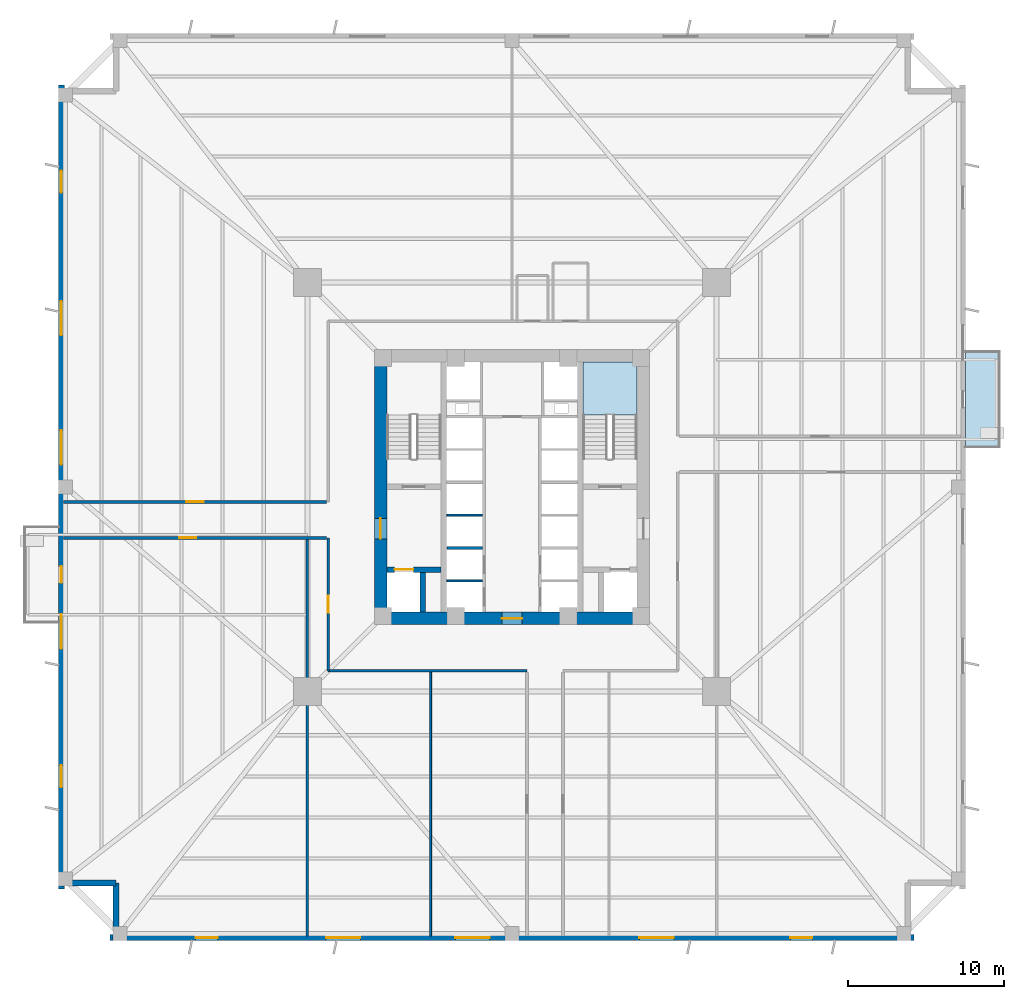
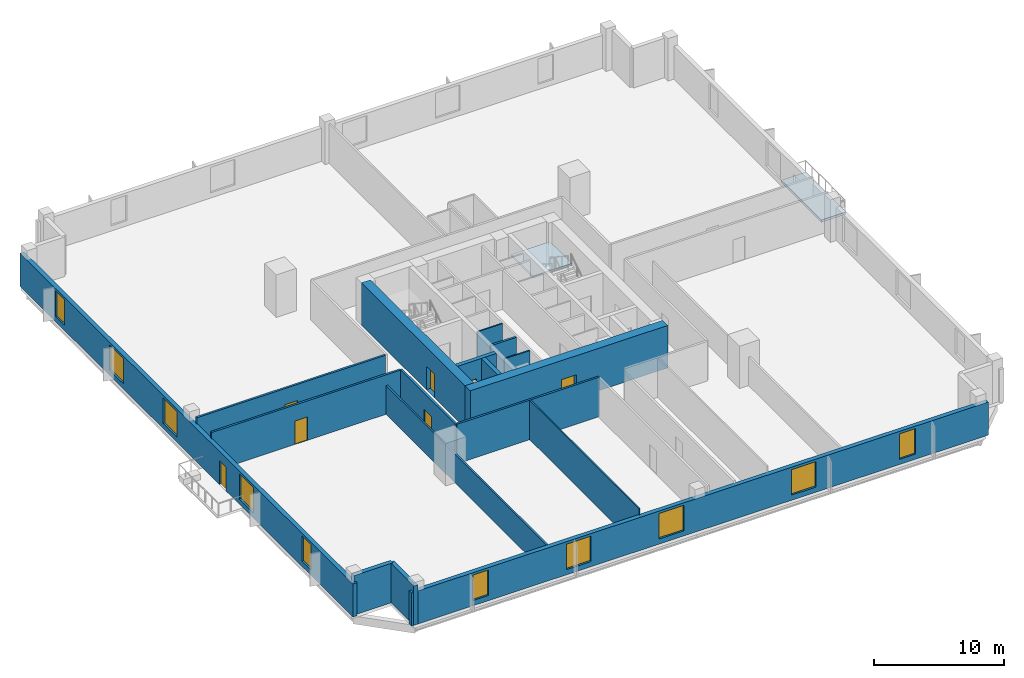
# One storey, part 2 of 9: 17 walls, 10 windows, 7 doors, 2 slabs, 17 openings, 1 element without a shape of its own.
"""IFC4 building model written with IfcOpenShell, lengths in metres."""

from ifc_helpers import new_model, si_unit, direction, frame, frame_2d, origin, place, context, subcontext, project, spatial, polyline, rectangle, outline, extrude, source, transform, mapped, material, layer, layer_set, type_object, element, fill, aggregate, save


model = new_model("IFC4")

# Units and contexts
model_context = context("Model", 3, precision=1e-05, world=origin(), true_north=direction((0.0, 1.0)))
body_context = subcontext(model_context, "Body", "Model", "MODEL_VIEW")
ifc_project = project(units=[si_unit("LENGTHUNIT", "METRE"), si_unit("AREAUNIT", "SQUARE_METRE"), si_unit("VOLUMEUNIT", "CUBIC_METRE"), si_unit("PLANEANGLEUNIT", "RADIAN"), si_unit("MASSUNIT", "GRAM", prefix="KILO"), si_unit("THERMODYNAMICTEMPERATUREUNIT", "KELVIN")], contexts=[model_context])

# Site, building, storey
site_placement = place(None, origin())
site = spatial("IfcSite", under=ifc_project, at=site_placement, CompositionType="ELEMENT")
building_placement = place(site_placement, origin())
building = spatial("IfcBuilding", under=site, at=building_placement, Name="Kosmvard Interchange Tower", CompositionType="ELEMENT")
storey_placement = place(building_placement, frame((0.0, 0.0, 58.0)))
storey = spatial("IfcBuildingStorey", under=building, at=storey_placement, Name="L13", CompositionType="ELEMENT", Elevation=58.0)

# Stair, slab
ifc_material_1 = material(Name="Concrete C50/60", Category="concrete")
stair_type = type_object("IfcStairType", Name="Dog-Leg Core Exit Stair H4000 C50/60", PredefinedType="HALF_TURN_STAIR", material=ifc_material_1)
stair_placement = place(storey_placement, origin())
stair = element("IfcStair", 1, at=stair_placement, inside=storey, type_object=stair_type, Name="L13 Protected Exit Stair ST-2", PredefinedType="HALF_TURN_STAIR")
ifc_layer_1 = layer(ifc_material_1, 0.199951171875, Name="Concrete C50/60")
ifc_layer_set_1 = layer_set([ifc_layer_1], Name="Concrete C50/60")
slab_type_1 = type_object("IfcSlabType", Name="Stair Half-Landing Slab 200 C50/60", PredefinedType="LANDING", material=ifc_layer_set_1)
slab_1_placement = place(storey_placement, frame((0.0, 0.0, 1.800048828125)))
slab_1 = element("IfcSlab", 2, at=slab_1_placement, type_object=slab_type_1, Name="ST-2 landing 1", PredefinedType="LANDING", context=body_context, shape_type="SweptSolid", body=[
    extrude(outline(polyline([(8.0, 4.60009765625), (8.0, 8.0), (4.5400390625, 8.0), (4.5400390625, 4.60009765625), (8.0, 4.60009765625)])), origin(), (0.0, 0.0, 1.0), 0.199951171875),
])
aggregate(stair, [slab_1])

# Slab
ifc_layer_2 = layer(ifc_material_1, 0.22998046875, Name="Concrete C50/60")
ifc_layer_set_2 = layer_set([ifc_layer_2], Name="Concrete C50/60")
slab_type_2 = type_object("IfcSlabType", Name="Tree-Planter Cantilever Balcony Slab 230 C50/60", PredefinedType="FLOOR", material=ifc_layer_set_2)
slab_2_placement = place(storey_placement, frame((0.0, 0.0, -0.22998046875)))
element("IfcSlab", 3, at=slab_2_placement, inside=storey, type_object=slab_type_2, Name="L13 Outdoor Terrace Balcony Slab BAL-L13-E", PredefinedType="FLOOR", context=body_context, shape_type="SweptSolid", body=[
    extrude(outline(polyline([(29.0, 2.5), (31.199951171875, 2.5), (31.199951171875, 8.699951171875), (29.0, 8.699951171875), (29.0, 2.5)])), origin(), (0.0, 0.0, 1.0), 0.22998046875),
])

# Walls
ifc_material_2 = material(Name="Acoustic gypsum partition system")
ifc_layer_3 = layer(ifc_material_2, 0.14990234375, Name="Acoustic gypsum partition system")
ifc_layer_set_3 = layer_set([ifc_layer_3], Name="Acoustic gypsum partition system")
wall_type_1 = type_object("IfcWallType", Name="Acoustic Suite & Meeting Partition 150", PredefinedType="PARTITIONING", material=ifc_layer_set_3)
wall_1_placement = place(storey_placement, frame((-13.0810546875, -28.68505859375, 0.0), z_axis=(0.0, 0.0, 1.0), x_axis=(0.0, 1.0, 0.0)))
element("IfcWall", 4, at=wall_1_placement, inside=storey, type_object=wall_type_1, Name="L13 Room Partition 04.1", PredefinedType="PARTITIONING", context=body_context, shape_type="SweptSolid", body=[
    extrude(rectangle(XDim=25.340087890625, YDim=0.14990234375, at=frame_2d((12.669921875, 0.0))), origin(), (0.0, 0.0, 1.0), 2.7119140625),
])
ifc_material_3 = material(Name="Fire-rated gypsum partition system")
ifc_layer_4 = layer(ifc_material_3, 0.179931640625, Name="Fire-rated gypsum partition system")
ifc_layer_set_4 = layer_set([ifc_layer_4], Name="Fire-rated gypsum partition system")
wall_type_2 = type_object("IfcWallType", Name="Corridor & Hotel Compartment Partition 180", PredefinedType="PARTITIONING", material=ifc_layer_set_4)
wall_2_placement = place(storey_placement, frame((-11.75, -11.75, 0.0), z_axis=(0.0, 0.0, 1.0), x_axis=(1.0, 0.0, 0.0)))
element("IfcWall", 5, at=wall_2_placement, inside=storey, type_object=wall_type_2, Name="L13 Corridor Wall CSW", PredefinedType="PARTITIONING", context=body_context, shape_type="SweptSolid", body=[
    extrude(rectangle(XDim=12.699951171875, YDim=0.179931640625, at=frame_2d((6.35009765625, 0.0))), origin(), (0.0, 0.0, 1.0), 3.719970703125),
])

# Wall, opening, door
wall_3_placement = place(storey_placement, frame((-11.75, -11.75, 0.0), z_axis=(0.0, 0.0, 1.0), x_axis=(0.0, 1.0, 0.0)))
wall_3 = element("IfcWall", 6, at=wall_3_placement, inside=storey, type_object=wall_type_2, Name="L13 Corridor Wall CWS", PredefinedType="PARTITIONING", context=body_context, shape_type="SweptSolid", body=[
    extrude(rectangle(XDim=8.5, YDim=0.179931640625, at=frame_2d((4.25, 0.0))), origin(), (0.0, 0.0, 1.0), 3.719970703125),
])
opening_1_placement = place(wall_3_placement, frame((3.699951171875, 0.0, 0.0)))
opening_1 = element("IfcOpeningElement", 7, at=opening_1_placement, cuts=wall_3, Name="Opening L13-D09", PredefinedType="OPENING", context=body_context, shape_type="SweptSolid", body=[
    extrude(rectangle(XDim=1.10009765625, YDim=2.199951171875, at=frame_2d((0.550048828125, 1.10009765625))), frame((0.0, 0.10009765625, 0.0), z_axis=(0.0, -1.0, 0.0), x_axis=(1.0, 0.0, 0.0)), (0.0, 0.0, 1.0), 0.199951171875),
])
ifc_material_4 = material(Name="Engineered oak fire-rated timber", Category="wood")
door_type_1 = type_object("IfcDoorType", Name="Office Suite Entrance Door 1100x2200 FD30S", OperationType="NOTDEFINED", PredefinedType="DOOR", material=ifc_material_4)
shared_shape_1 = source(origin(), body_context, "Body", "SweptSolid", [
    extrude(rectangle(XDim=1.10009765625, YDim=2.199951171875, at=frame_2d((0.550048828125, 1.10009765625))), frame((0.0, 0.02490234375, 0.0), z_axis=(0.0, -1.0, 0.0), x_axis=(1.0, 0.0, 0.0)), (0.0, 0.0, 1.0), 0.050048828125),
])
door_1_placement = place(opening_1_placement, origin())
door_1 = element("IfcDoor", 8, at=door_1_placement, inside=storey, type_object=door_type_1, Name="L13 Breakout Tea Pantry Door", OperationType="SINGLE_SWING_LEFT", OverallHeight=2.199951171875, OverallWidth=1.10009765625, PredefinedType="DOOR", context=body_context, shape_type="MappedRepresentation", body=[
    mapped(shared_shape_1, transform((0.0, 0.0, 0.0), scale=1.0)),
])
fill(opening_1, door_1)

wall_4_placement = place(storey_placement, frame((-28.68505859375, -3.25, 0.0), z_axis=(0.0, 0.0, 1.0), x_axis=(1.0, 0.0, 0.0)))
wall_4 = element("IfcWall", 9, at=wall_4_placement, inside=storey, type_object=wall_type_2, Name="L13 Corridor Wall SWS", PredefinedType="PARTITIONING", context=body_context, shape_type="SweptSolid", body=[
    extrude(rectangle(XDim=16.8349609375, YDim=0.179931640625, at=frame_2d((8.41748046875, 0.0))), origin(), (0.0, 0.0, 1.0), 3.719970703125),
])
opening_2_placement = place(wall_4_placement, frame((7.41650390625, 0.0, 0.0)))
opening_2 = element("IfcOpeningElement", 10, at=opening_2_placement, cuts=wall_4, Name="Opening L13-D08", PredefinedType="OPENING", context=body_context, shape_type="SweptSolid", body=[
    extrude(rectangle(XDim=1.10009765625, YDim=2.199951171875, at=frame_2d((0.550048828125, 1.10009765625))), frame((0.0, 0.10009765625, 0.0), z_axis=(0.0, -1.0, 0.0), x_axis=(1.0, 0.0, 0.0)), (0.0, 0.0, 1.0), 0.199951171875),
])
door_2_placement = place(opening_2_placement, frame((1.10009765625, 0.0, 0.0), z_axis=(0.0, 0.0, 1.0), x_axis=(-1.0, 0.0, 0.0)))
door_2 = element("IfcDoor", 11, at=door_2_placement, inside=storey, type_object=door_type_1, Name="L13 West Open Design Studio Door", OperationType="SINGLE_SWING_RIGHT", OverallHeight=2.199951171875, OverallWidth=1.10009765625, PredefinedType="DOOR", context=body_context, shape_type="MappedRepresentation", body=[
    mapped(shared_shape_1, transform((0.0, 0.0, 0.0), scale=1.0)),
])
fill(opening_2, door_2)

wall_5_placement = place(storey_placement, frame((-28.68505859375, -0.949951171875, 0.0), z_axis=(0.0, 0.0, 1.0), x_axis=(1.0, 0.0, 0.0)))
wall_5 = element("IfcWall", 12, at=wall_5_placement, inside=storey, type_object=wall_type_2, Name="L13 Corridor Wall SWN", PredefinedType="PARTITIONING", context=body_context, shape_type="SweptSolid", body=[
    extrude(rectangle(XDim=16.8349609375, YDim=0.179931640625, at=frame_2d((8.41748046875, 0.0))), origin(), (0.0, 0.0, 1.0), 3.719970703125),
])
opening_3_placement = place(wall_5_placement, frame((7.867431640625, 0.0, 0.0)))
opening_3 = element("IfcOpeningElement", 13, at=opening_3_placement, cuts=wall_5, Name="Opening L13-D03", PredefinedType="OPENING", context=body_context, shape_type="SweptSolid", body=[
    extrude(rectangle(XDim=1.10009765625, YDim=2.199951171875, at=frame_2d((0.550048828125, 1.10009765625))), frame((0.0, 0.10009765625, 0.0), z_axis=(0.0, -1.0, 0.0), x_axis=(1.0, 0.0, 0.0)), (0.0, 0.0, 1.0), 0.199951171875),
])
door_3_placement = place(opening_3_placement, origin())
door_3 = element("IfcDoor", 14, at=door_3_placement, inside=storey, type_object=door_type_1, Name="L13 Technical Reference Library Door", OperationType="SINGLE_SWING_LEFT", OverallHeight=2.199951171875, OverallWidth=1.10009765625, PredefinedType="DOOR", context=body_context, shape_type="MappedRepresentation", body=[
    mapped(shared_shape_1, transform((0.0, 0.0, 0.0), scale=1.0)),
])
fill(opening_3, door_3)

ifc_material_5 = material(Name="Concrete C80/95", Category="concrete")
ifc_layer_5 = layer(ifc_material_5, 0.800048828125, Name="Concrete C80/95")
ifc_layer_set_5 = layer_set([ifc_layer_5], Name="Concrete C80/95")
wall_type_3 = type_object("IfcWallType", Name="Lower Core Shear Wall 800 C80/95", PredefinedType="SHEAR", material=ifc_layer_set_5)
wall_6_placement = place(storey_placement, frame((-8.800048828125, -8.39990234375, 0.0), z_axis=(0.0, 0.0, 1.0), x_axis=(1.0, 0.0, 0.0)))
wall_6 = element("IfcWall", 15, at=wall_6_placement, inside=storey, type_object=wall_type_3, Name="L13 Core Shear Wall CW-S", PredefinedType="SHEAR", context=body_context, shape_type="SweptSolid", body=[
    extrude(rectangle(XDim=17.60009765625, YDim=0.800048828125, at=frame_2d((8.800048828125, 0.0))), origin(), (0.0, 0.0, 1.0), 4.0),
])
opening_4_placement = place(wall_6_placement, frame((8.14990234375, 0.0, 0.0)))
opening_4 = element("IfcOpeningElement", 16, at=opening_4_placement, cuts=wall_6, Name="Opening L13-LD0", PredefinedType="OPENING", context=body_context, shape_type="SweptSolid", body=[
    extrude(rectangle(XDim=1.300048828125, YDim=2.199951171875, at=frame_2d((0.64990234375, 1.10009765625))), frame((0.0, 0.41015625, 0.0), z_axis=(0.0, -1.0, 0.0), x_axis=(1.0, 0.0, 0.0)), (0.0, 0.0, 1.0), 0.820068359375),
])
ifc_material_6 = material(Name="Painted fire-rated steel leaf", Category="steel")
door_type_2 = type_object("IfcDoorType", Name="Firefighting Lobby Door 1300x2200 EI60", OperationType="NOTDEFINED", PredefinedType="DOOR", material=ifc_material_6)
shared_shape_2 = source(origin(), body_context, "Body", "SweptSolid", [
    extrude(rectangle(XDim=1.300048828125, YDim=2.199951171875, at=frame_2d((0.64990234375, 1.10009765625))), frame((0.0, 0.02490234375, 0.0), z_axis=(0.0, -1.0, 0.0), x_axis=(1.0, 0.0, 0.0)), (0.0, 0.0, 1.0), 0.050048828125),
])
door_4_placement = place(opening_4_placement, frame((1.300048828125, 0.0, 0.0), z_axis=(0.0, 0.0, 1.0), x_axis=(-1.0, 0.0, 0.0)))
door_4 = element("IfcDoor", 17, at=door_4_placement, inside=storey, type_object=door_type_2, Name="L13 Passenger Lift Lobby South Door", OperationType="SINGLE_SWING_RIGHT", OverallHeight=2.199951171875, OverallWidth=1.300048828125, PredefinedType="DOOR", context=body_context, shape_type="MappedRepresentation", body=[
    mapped(shared_shape_2, transform((0.0, 0.0, 0.0), scale=1.0)),
])
fill(opening_4, door_4)

wall_7_placement = place(storey_placement, frame((-8.39990234375, -8.0, 0.0), z_axis=(0.0, 0.0, 1.0), x_axis=(0.0, 1.0, 0.0)))
wall_7 = element("IfcWall", 18, at=wall_7_placement, inside=storey, type_object=wall_type_3, Name="L13 Core Shear Wall CW-W", PredefinedType="SHEAR", context=body_context, shape_type="SweptSolid", body=[
    extrude(rectangle(XDim=16.0, YDim=0.800048828125, at=frame_2d((8.0, 0.0))), origin(), (0.0, 0.0, 1.0), 4.0),
])
opening_5_placement = place(wall_7_placement, frame((4.68994140625, 0.0, 0.0)))
opening_5 = element("IfcOpeningElement", 19, at=opening_5_placement, cuts=wall_7, Name="Opening L13-FD1", PredefinedType="OPENING", context=body_context, shape_type="SweptSolid", body=[
    extrude(rectangle(XDim=1.300048828125, YDim=2.199951171875, at=frame_2d((0.64990234375, 1.10009765625))), frame((0.0, 0.41015625, 0.0), z_axis=(0.0, -1.0, 0.0), x_axis=(1.0, 0.0, 0.0)), (0.0, 0.0, 1.0), 0.820068359375),
])
door_5_placement = place(opening_5_placement, frame((1.300048828125, 0.0, 0.0), z_axis=(0.0, 0.0, 1.0), x_axis=(-1.0, 0.0, 0.0)))
door_5 = element("IfcDoor", 20, at=door_5_placement, inside=storey, type_object=door_type_2, Name="L13 Firefighting Lobby West Door", OperationType="SINGLE_SWING_LEFT", OverallHeight=2.199951171875, OverallWidth=1.300048828125, PredefinedType="DOOR", context=body_context, shape_type="MappedRepresentation", body=[
    mapped(shared_shape_2, transform((0.0, 0.0, 0.0), scale=1.0)),
])
fill(opening_5, door_5)

# Wall, openings, windows
ifc_material_7 = material(Name="Precast concrete C45/55", Category="concrete")
ifc_layer_6 = layer(ifc_material_7, 0.3798828125, Name="Precast concrete C45/55")
ifc_layer_set_6 = layer_set([ifc_layer_6], Name="Precast concrete C45/55")
wall_type_4 = type_object("IfcWallType", Name="Lower Tower Precast Pier Wall 380 C45/55", PredefinedType="STANDARD", material=ifc_layer_set_6)
wall_8_placement = place(storey_placement, frame((-25.68994140625, -28.81005859375, 0.0), z_axis=(0.0, 0.0, 1.0), x_axis=(1.0, 0.0, 0.0)))
wall_8 = element("IfcWall", 21, at=wall_8_placement, inside=storey, type_object=wall_type_4, Name="L13 Precast Facade Wall F-S", PredefinedType="STANDARD", context=body_context, shape_type="SweptSolid", body=[
    extrude(rectangle(XDim=51.3798828125, YDim=0.3798828125, at=frame_2d((25.68994140625, 0.0))), origin(), (0.0, 0.0, 1.0), 3.1201171875),
])
opening_6_placement = place(wall_8_placement, frame((5.465576171875, 0.0, 0.489990234375)))
opening_6 = element("IfcOpeningElement", 22, at=opening_6_placement, cuts=wall_8, Name="Opening L13-W01", PredefinedType="OPENING", context=body_context, shape_type="SweptSolid", body=[
    extrude(rectangle(XDim=1.39990234375, YDim=2.39990234375, at=frame_2d((0.699951171875, 1.199951171875))), frame((0.0, 0.199951171875, 0.0), z_axis=(0.0, -1.0, 0.0), x_axis=(1.0, 0.0, 0.0)), (0.0, 0.0, 1.0), 0.39990234375),
])
opening_7_placement = place(wall_8_placement, frame((13.80029296875, 0.0, 0.489990234375)))
opening_7 = element("IfcOpeningElement", 23, at=opening_7_placement, cuts=wall_8, Name="Opening L13-W02", PredefinedType="OPENING", context=body_context, shape_type="SweptSolid", body=[
    extrude(rectangle(XDim=2.199951171875, YDim=2.39990234375, at=frame_2d((1.10009765625, 1.199951171875))), frame((0.0, 0.199951171875, 0.0), z_axis=(0.0, -1.0, 0.0), x_axis=(1.0, 0.0, 0.0)), (0.0, 0.0, 1.0), 0.39990234375),
])
opening_8_placement = place(wall_8_placement, frame((22.0625, 0.0, 0.489990234375)))
opening_8 = element("IfcOpeningElement", 24, at=opening_8_placement, cuts=wall_8, Name="Opening L13-W03", PredefinedType="OPENING", context=body_context, shape_type="SweptSolid", body=[
    extrude(rectangle(XDim=2.199951171875, YDim=2.39990234375, at=frame_2d((1.10009765625, 1.199951171875))), frame((0.0, 0.199951171875, 0.0), z_axis=(0.0, -1.0, 0.0), x_axis=(1.0, 0.0, 0.0)), (0.0, 0.0, 1.0), 0.39990234375),
])
opening_9_placement = place(wall_8_placement, frame((33.83837890625, 0.0, 0.489990234375)))
opening_9 = element("IfcOpeningElement", 25, at=opening_9_placement, cuts=wall_8, Name="Opening L13-W04", PredefinedType="OPENING", context=body_context, shape_type="SweptSolid", body=[
    extrude(rectangle(XDim=2.199951171875, YDim=2.39990234375, at=frame_2d((1.10009765625, 1.199951171875))), frame((0.0, 0.199951171875, 0.0), z_axis=(0.0, -1.0, 0.0), x_axis=(1.0, 0.0, 0.0)), (0.0, 0.0, 1.0), 0.39990234375),
])
opening_10_placement = place(wall_8_placement, frame((43.48681640625, 0.0, 0.489990234375)))
opening_10 = element("IfcOpeningElement", 26, at=opening_10_placement, cuts=wall_8, Name="Opening L13-W05", PredefinedType="OPENING", context=body_context, shape_type="SweptSolid", body=[
    extrude(rectangle(XDim=1.39990234375, YDim=2.39990234375, at=frame_2d((0.699951171875, 1.199951171875))), frame((0.0, 0.199951171875, 0.0), z_axis=(0.0, -1.0, 0.0), x_axis=(1.0, 0.0, 0.0)), (0.0, 0.0, 1.0), 0.39990234375),
])
ifc_material_8 = material(Name="Low-E solar-control double glazing", Category="glass")
window_type_1 = type_object("IfcWindowType", Name="Notched Corner Feature Window 1400x2400", PartitioningType="SINGLE_PANEL", PredefinedType="WINDOW", material=ifc_material_8)
shared_shape_3 = source(origin(), body_context, "Body", "SweptSolid", [
    extrude(rectangle(XDim=1.39990234375, YDim=2.39990234375, at=frame_2d((0.699951171875, 1.199951171875))), frame((0.0, 0.030029296875, 0.0), z_axis=(0.0, -1.0, 0.0), x_axis=(1.0, 0.0, 0.0)), (0.0, 0.0, 1.0), 0.06005859375),
])
window_1_placement = place(opening_6_placement, origin())
window_1 = element("IfcWindow", 27, at=window_1_placement, inside=storey, type_object=window_type_1, Name="L13 Facade Punched Window 01", OverallHeight=2.39990234375, OverallWidth=1.39990234375, PartitioningType="SINGLE_PANEL", PredefinedType="WINDOW", context=body_context, shape_type="MappedRepresentation", body=[
    mapped(shared_shape_3, transform((0.0, 0.0, 0.0), scale=1.0)),
])
fill(opening_6, window_1)
window_2_placement = place(opening_10_placement, origin())
window_2 = element("IfcWindow", 28, at=window_2_placement, inside=storey, type_object=window_type_1, Name="L13 Facade Punched Window 05", OverallHeight=2.39990234375, OverallWidth=1.39990234375, PartitioningType="SINGLE_PANEL", PredefinedType="WINDOW", context=body_context, shape_type="MappedRepresentation", body=[
    mapped(shared_shape_3, transform((0.0, 0.0, 0.0), scale=1.0)),
])
fill(opening_10, window_2)
window_type_2 = type_object("IfcWindowType", Name="Zone 1 Office Punched Window 2200x2400", PartitioningType="SINGLE_PANEL", PredefinedType="WINDOW", material=ifc_material_8)
shared_shape_4 = source(origin(), body_context, "Body", "SweptSolid", [
    extrude(rectangle(XDim=2.199951171875, YDim=2.39990234375, at=frame_2d((1.10009765625, 1.199951171875))), frame((0.0, 0.030029296875, 0.0), z_axis=(0.0, -1.0, 0.0), x_axis=(1.0, 0.0, 0.0)), (0.0, 0.0, 1.0), 0.06005859375),
])
window_3_placement = place(opening_7_placement, origin())
window_3 = element("IfcWindow", 29, at=window_3_placement, inside=storey, type_object=window_type_2, Name="L13 Facade Punched Window 02", OverallHeight=2.39990234375, OverallWidth=2.199951171875, PartitioningType="SINGLE_PANEL", PredefinedType="WINDOW", context=body_context, shape_type="MappedRepresentation", body=[
    mapped(shared_shape_4, transform((0.0, 0.0, 0.0), scale=1.0)),
])
fill(opening_7, window_3)
window_4_placement = place(opening_8_placement, origin())
window_4 = element("IfcWindow", 30, at=window_4_placement, inside=storey, type_object=window_type_2, Name="L13 Facade Punched Window 03", OverallHeight=2.39990234375, OverallWidth=2.199951171875, PartitioningType="SINGLE_PANEL", PredefinedType="WINDOW", context=body_context, shape_type="MappedRepresentation", body=[
    mapped(shared_shape_4, transform((0.0, 0.0, 0.0), scale=1.0)),
])
fill(opening_8, window_4)
window_5_placement = place(opening_9_placement, origin())
window_5 = element("IfcWindow", 31, at=window_5_placement, inside=storey, type_object=window_type_2, Name="L13 Facade Punched Window 04", OverallHeight=2.39990234375, OverallWidth=2.199951171875, PartitioningType="SINGLE_PANEL", PredefinedType="WINDOW", context=body_context, shape_type="MappedRepresentation", body=[
    mapped(shared_shape_4, transform((0.0, 0.0, 0.0), scale=1.0)),
])
fill(opening_9, window_5)

# Wall, openings, door, windows
wall_9_placement = place(storey_placement, frame((-28.81005859375, 25.68994140625, 0.0), z_axis=(0.0, 0.0, 1.0), x_axis=(0.0, -1.0, 0.0)))
wall_9 = element("IfcWall", 32, at=wall_9_placement, inside=storey, type_object=wall_type_4, Name="L13 Precast Facade Wall F-W", PredefinedType="STANDARD", context=body_context, shape_type="SweptSolid", body=[
    extrude(rectangle(XDim=51.3798828125, YDim=0.3798828125, at=frame_2d((25.68994140625, 0.0))), origin(), (0.0, 0.0, 1.0), 3.1201171875),
])
opening_11_placement = place(wall_9_placement, frame((30.764892578125, 0.0, 0.0)))
opening_11 = element("IfcOpeningElement", 33, at=opening_11_placement, cuts=wall_9, Name="Opening L13-BDW", PredefinedType="OPENING", context=body_context, shape_type="SweptSolid", body=[
    extrude(rectangle(XDim=1.050048828125, YDim=2.25, at=frame_2d((0.52490234375, 1.125))), frame((0.0, 0.199951171875, 0.0), z_axis=(0.0, -1.0, 0.0), x_axis=(1.0, 0.0, 0.0)), (0.0, 0.0, 1.0), 0.39990234375),
])
opening_12_placement = place(wall_9_placement, frame((5.465576171875, 0.0, 0.489990234375)))
opening_12 = element("IfcOpeningElement", 34, at=opening_12_placement, cuts=wall_9, Name="Opening L13-W16", PredefinedType="OPENING", context=body_context, shape_type="SweptSolid", body=[
    extrude(rectangle(XDim=1.39990234375, YDim=2.39990234375, at=frame_2d((0.699951171875, 1.199951171875))), frame((0.0, 0.199951171875, 0.0), z_axis=(0.0, -1.0, 0.0), x_axis=(1.0, 0.0, 0.0)), (0.0, 0.0, 1.0), 0.39990234375),
])
opening_13_placement = place(wall_9_placement, frame((13.80029296875, 0.0, 0.489990234375)))
opening_13 = element("IfcOpeningElement", 35, at=opening_13_placement, cuts=wall_9, Name="Opening L13-W17", PredefinedType="OPENING", context=body_context, shape_type="SweptSolid", body=[
    extrude(rectangle(XDim=2.199951171875, YDim=2.39990234375, at=frame_2d((1.10009765625, 1.199951171875))), frame((0.0, 0.199951171875, 0.0), z_axis=(0.0, -1.0, 0.0), x_axis=(1.0, 0.0, 0.0)), (0.0, 0.0, 1.0), 0.39990234375),
])
opening_14_placement = place(wall_9_placement, frame((22.0625, 0.0, 0.489990234375)))
opening_14 = element("IfcOpeningElement", 36, at=opening_14_placement, cuts=wall_9, Name="Opening L13-W18", PredefinedType="OPENING", context=body_context, shape_type="SweptSolid", body=[
    extrude(rectangle(XDim=2.199951171875, YDim=2.39990234375, at=frame_2d((1.10009765625, 1.199951171875))), frame((0.0, 0.199951171875, 0.0), z_axis=(0.0, -1.0, 0.0), x_axis=(1.0, 0.0, 0.0)), (0.0, 0.0, 1.0), 0.39990234375),
])
opening_15_placement = place(wall_9_placement, frame((33.83837890625, 0.0, 0.489990234375)))
opening_15 = element("IfcOpeningElement", 37, at=opening_15_placement, cuts=wall_9, Name="Opening L13-W19", PredefinedType="OPENING", context=body_context, shape_type="SweptSolid", body=[
    extrude(rectangle(XDim=2.199951171875, YDim=2.39990234375, at=frame_2d((1.10009765625, 1.199951171875))), frame((0.0, 0.199951171875, 0.0), z_axis=(0.0, -1.0, 0.0), x_axis=(1.0, 0.0, 0.0)), (0.0, 0.0, 1.0), 0.39990234375),
])
opening_16_placement = place(wall_9_placement, frame((43.48681640625, 0.0, 0.489990234375)))
opening_16 = element("IfcOpeningElement", 38, at=opening_16_placement, cuts=wall_9, Name="Opening L13-W20", PredefinedType="OPENING", context=body_context, shape_type="SweptSolid", body=[
    extrude(rectangle(XDim=1.39990234375, YDim=2.39990234375, at=frame_2d((0.699951171875, 1.199951171875))), frame((0.0, 0.199951171875, 0.0), z_axis=(0.0, -1.0, 0.0), x_axis=(1.0, 0.0, 0.0)), (0.0, 0.0, 1.0), 0.39990234375),
])
ifc_material_9 = material(Name="Anodised aluminium and safety glass", Category="aluminium")
door_type_3 = type_object("IfcDoorType", Name="Tree-Balcony Glazed Door 1050x2250", OperationType="NOTDEFINED", PredefinedType="DOOR", material=ifc_material_9)
shared_shape_5 = source(origin(), body_context, "Body", "SweptSolid", [
    extrude(rectangle(XDim=1.050048828125, YDim=2.25, at=frame_2d((0.52490234375, 1.125))), frame((0.0, 0.02490234375, 0.0), z_axis=(0.0, -1.0, 0.0), x_axis=(1.0, 0.0, 0.0)), (0.0, 0.0, 1.0), 0.050048828125),
])
door_6_placement = place(opening_11_placement, origin())
door_6 = element("IfcDoor", 39, at=door_6_placement, inside=storey, type_object=door_type_3, Name="L13 Tree-Balcony Door BAL-L13-W", OperationType="SINGLE_SWING_RIGHT", OverallHeight=2.25, OverallWidth=1.050048828125, PredefinedType="DOOR", context=body_context, shape_type="MappedRepresentation", body=[
    mapped(shared_shape_5, transform((0.0, 0.0, 0.0), scale=1.0)),
])
fill(opening_11, door_6)
window_6_placement = place(opening_12_placement, origin())
window_6 = element("IfcWindow", 40, at=window_6_placement, inside=storey, type_object=window_type_1, Name="L13 Facade Punched Window 16", OverallHeight=2.39990234375, OverallWidth=1.39990234375, PartitioningType="SINGLE_PANEL", PredefinedType="WINDOW", context=body_context, shape_type="MappedRepresentation", body=[
    mapped(shared_shape_3, transform((0.0, 0.0, 0.0), scale=1.0)),
])
fill(opening_12, window_6)
window_7_placement = place(opening_16_placement, origin())
window_7 = element("IfcWindow", 41, at=window_7_placement, inside=storey, type_object=window_type_1, Name="L13 Facade Punched Window 20", OverallHeight=2.39990234375, OverallWidth=1.39990234375, PartitioningType="SINGLE_PANEL", PredefinedType="WINDOW", context=body_context, shape_type="MappedRepresentation", body=[
    mapped(shared_shape_3, transform((0.0, 0.0, 0.0), scale=1.0)),
])
fill(opening_16, window_7)
window_8_placement = place(opening_13_placement, origin())
window_8 = element("IfcWindow", 42, at=window_8_placement, inside=storey, type_object=window_type_2, Name="L13 Facade Punched Window 17", OverallHeight=2.39990234375, OverallWidth=2.199951171875, PartitioningType="SINGLE_PANEL", PredefinedType="WINDOW", context=body_context, shape_type="MappedRepresentation", body=[
    mapped(shared_shape_4, transform((0.0, 0.0, 0.0), scale=1.0)),
])
fill(opening_13, window_8)
window_9_placement = place(opening_14_placement, origin())
window_9 = element("IfcWindow", 43, at=window_9_placement, inside=storey, type_object=window_type_2, Name="L13 Facade Punched Window 18", OverallHeight=2.39990234375, OverallWidth=2.199951171875, PartitioningType="SINGLE_PANEL", PredefinedType="WINDOW", context=body_context, shape_type="MappedRepresentation", body=[
    mapped(shared_shape_4, transform((0.0, 0.0, 0.0), scale=1.0)),
])
fill(opening_14, window_9)
window_10_placement = place(opening_15_placement, origin())
window_10 = element("IfcWindow", 44, at=window_10_placement, inside=storey, type_object=window_type_2, Name="L13 Facade Punched Window 19", OverallHeight=2.39990234375, OverallWidth=2.199951171875, PartitioningType="SINGLE_PANEL", PredefinedType="WINDOW", context=body_context, shape_type="MappedRepresentation", body=[
    mapped(shared_shape_4, transform((0.0, 0.0, 0.0), scale=1.0)),
])
fill(opening_15, window_10)

# Walls
wall_10_placement = place(storey_placement, frame((-28.81005859375, -25.31005859375, 0.0), z_axis=(0.0, 0.0, 1.0), x_axis=(1.0, 0.0, 0.0)))
element("IfcWall", 45, at=wall_10_placement, inside=storey, type_object=wall_type_4, Name="L13 Precast Facade Wall N-SW1", PredefinedType="STANDARD", context=body_context, shape_type="SweptSolid", body=[
    extrude(rectangle(XDim=3.5, YDim=0.3798828125, at=frame_2d((1.75, 0.0))), origin(), (0.0, 0.0, 1.0), 3.719970703125),
])
wall_11_placement = place(storey_placement, frame((-25.31005859375, -25.31005859375, 0.0), z_axis=(0.0, 0.0, 1.0), x_axis=(0.0, -1.0, 0.0)))
element("IfcWall", 46, at=wall_11_placement, inside=storey, type_object=wall_type_4, Name="L13 Precast Facade Wall N-SW2", PredefinedType="STANDARD", context=body_context, shape_type="SweptSolid", body=[
    extrude(rectangle(XDim=3.68994140625, YDim=0.3798828125, at=frame_2d((1.844970703125, 0.0))), origin(), (0.0, 0.0, 1.0), 3.719970703125),
])
ifc_material_10 = material(Name="Gypsum board partition system")
ifc_layer_7 = layer(ifc_material_10, 0.1201171875, Name="Gypsum board partition system")
ifc_layer_set_7 = layer_set([ifc_layer_7], Name="Gypsum board partition system")
wall_type_5 = type_object("IfcWallType", Name="Office Cellular Partition 120", PredefinedType="PARTITIONING", material=ifc_layer_set_7)
wall_12_placement = place(storey_placement, frame((-5.199951171875, -28.68505859375, 0.0), z_axis=(0.0, 0.0, 1.0), x_axis=(0.0, 1.0, 0.0)))
element("IfcWall", 47, at=wall_12_placement, inside=storey, type_object=wall_type_5, Name="L13 Room Partition 05.1", PredefinedType="PARTITIONING", context=body_context, shape_type="SweptSolid", body=[
    extrude(rectangle(XDim=16.840087890625, YDim=0.1201171875, at=frame_2d((8.419921875, 0.0))), origin(), (0.0, 0.0, 1.0), 3.719970703125),
])
ifc_material_11 = material(Name="Concrete blockwork masonry", Category="masonry")
ifc_layer_8 = layer(ifc_material_11, 0.179931640625, Name="Concrete blockwork masonry")
ifc_layer_set_8 = layer_set([ifc_layer_8], Name="Concrete blockwork masonry")
wall_type_6 = type_object("IfcWallType", Name="Riser & Lift Bank Divider Wall 180", PredefinedType="PARTITIONING", material=ifc_layer_set_8)
wall_13_placement = place(storey_placement, frame((-4.169921875, -3.89990234375, 0.0), z_axis=(0.0, 0.0, 1.0), x_axis=(1.0, 0.0, 0.0)))
element("IfcWall", 48, at=wall_13_placement, inside=storey, type_object=wall_type_6, Name="L13 West Bank Divider BD1", PredefinedType="PARTITIONING", context=body_context, shape_type="SweptSolid", body=[
    extrude(rectangle(XDim=2.280029296875, YDim=0.179931640625, at=frame_2d((1.14013671875, 0.0))), origin(), (0.0, 0.0, 1.0), 3.719970703125),
])
ifc_material_12 = material(Name="Fire-rated gypsum shaftwall system")
ifc_layer_9 = layer(ifc_material_12, 0.1201171875, Name="Fire-rated gypsum shaftwall system")
ifc_layer_set_9 = layer_set([ifc_layer_9], Name="Fire-rated gypsum shaftwall system")
wall_type_7 = type_object("IfcWallType", Name="Shaft & Riser Fire Partition 120 EI60", PredefinedType="PARTITIONING", material=ifc_layer_set_9)
for number, where, z_axis, x_axis, name in (
    (49, (-4.159912109375, -6.0, 0.0), (0.0, 0.0, 1.0), (1.0, 0.0, 0.0), "L13 Shaft Divider PL-L1"),
    (50, (-4.159912109375, -1.800048828125, 0.0), (0.0, 0.0, 1.0), (1.0, 0.0, 0.0), "L13 Shaft Divider PL-M1"),
):
    element("IfcWall", number, at=place(storey_placement, frame(where, z_axis=z_axis, x_axis=x_axis)), inside=storey, type_object=wall_type_7, Name=name, PredefinedType="PARTITIONING", context=body_context, shape_type="SweptSolid", body=[
        extrude(rectangle(XDim=2.260009765625, YDim=0.1201171875, at=frame_2d((1.1298828125, 0.0))), origin(), (0.0, 0.0, 1.0), 3.719970703125),
    ])

# Wall, opening, door
ifc_material_13 = material(Name="Concrete C60/75", Category="concrete")
ifc_layer_10 = layer(ifc_material_13, 0.360107421875, Name="Concrete C60/75")
ifc_layer_set_10 = layer_set([ifc_layer_10], Name="Concrete C60/75")
wall_type_8 = type_object("IfcWallType", Name="Stair & Lift Shaft Shear Wall 360 C60/75", PredefinedType="SHEAR", material=ifc_layer_set_10)
wall_14_placement = place(storey_placement, frame((-8.0, -5.280029296875, 0.0), z_axis=(0.0, 0.0, 1.0), x_axis=(1.0, 0.0, 0.0)))
wall_14 = element("IfcWall", 51, at=wall_14_placement, inside=storey, type_object=wall_type_8, Name="L13 Shaft Shear Wall SW-FF1", PredefinedType="SHEAR", context=body_context, shape_type="SweptSolid", body=[
    extrude(rectangle(XDim=3.4599609375, YDim=0.360107421875, at=frame_2d((1.72998046875, 0.0))), origin(), (0.0, 0.0, 1.0), 4.0),
])
opening_17_placement = place(wall_14_placement, frame((0.5, 0.0, 0.0)))
opening_17 = element("IfcOpeningElement", 52, at=opening_17_placement, cuts=wall_14, Name="Opening LD-FF-1-L13", PredefinedType="OPENING", context=body_context, shape_type="SweptSolid", body=[
    extrude(rectangle(XDim=1.199951171875, YDim=2.25, at=frame_2d((0.60009765625, 1.125))), frame((0.0, 0.18994140625, 0.0), z_axis=(0.0, -1.0, 0.0), x_axis=(1.0, 0.0, 0.0)), (0.0, 0.0, 1.0), 0.380126953125),
])
ifc_material_14 = material(Name="Brushed stainless steel sliding leaf", Category="steel")
door_type_4 = type_object("IfcDoorType", Name="Firefighting Lift Sliding Landing Door 1200x2250 EI120", OperationType="DOUBLE_DOOR_SLIDING", PredefinedType="DOOR", material=ifc_material_14)
shared_shape_6 = source(origin(), body_context, "Body", "SweptSolid", [
    extrude(rectangle(XDim=1.199951171875, YDim=2.25, at=frame_2d((0.60009765625, 1.125))), frame((0.0, 0.02490234375, 0.0), z_axis=(0.0, -1.0, 0.0), x_axis=(1.0, 0.0, 0.0)), (0.0, 0.0, 1.0), 0.050048828125),
])
door_7_placement = place(opening_17_placement, origin())
door_7 = element("IfcDoor", 53, at=door_7_placement, inside=storey, type_object=door_type_4, Name="Lift FF-1 Landing Door L13", OperationType="DOUBLE_DOOR_SLIDING", OverallHeight=2.25, OverallWidth=1.199951171875, PredefinedType="DOOR", context=body_context, shape_type="MappedRepresentation", body=[
    mapped(shared_shape_6, transform((0.0, 0.0, 0.0), scale=1.0)),
])
fill(opening_17, door_7)

# Wall
wall_15_placement = place(storey_placement, frame((-5.7099609375, -8.0, 0.0), z_axis=(0.0, 0.0, 1.0), x_axis=(0.0, 1.0, 0.0)))
element("IfcWall", 54, at=wall_15_placement, inside=storey, type_object=wall_type_8, Name="L13 Shaft Shear Wall SW-SM1", PredefinedType="SHEAR", context=body_context, shape_type="SweptSolid", body=[
    extrude(rectangle(XDim=2.5400390625, YDim=0.360107421875, at=frame_2d((1.27001953125, 0.0))), origin(), (0.0, 0.0, 1.0), 4.0),
])

save(model, "model.ifc")
